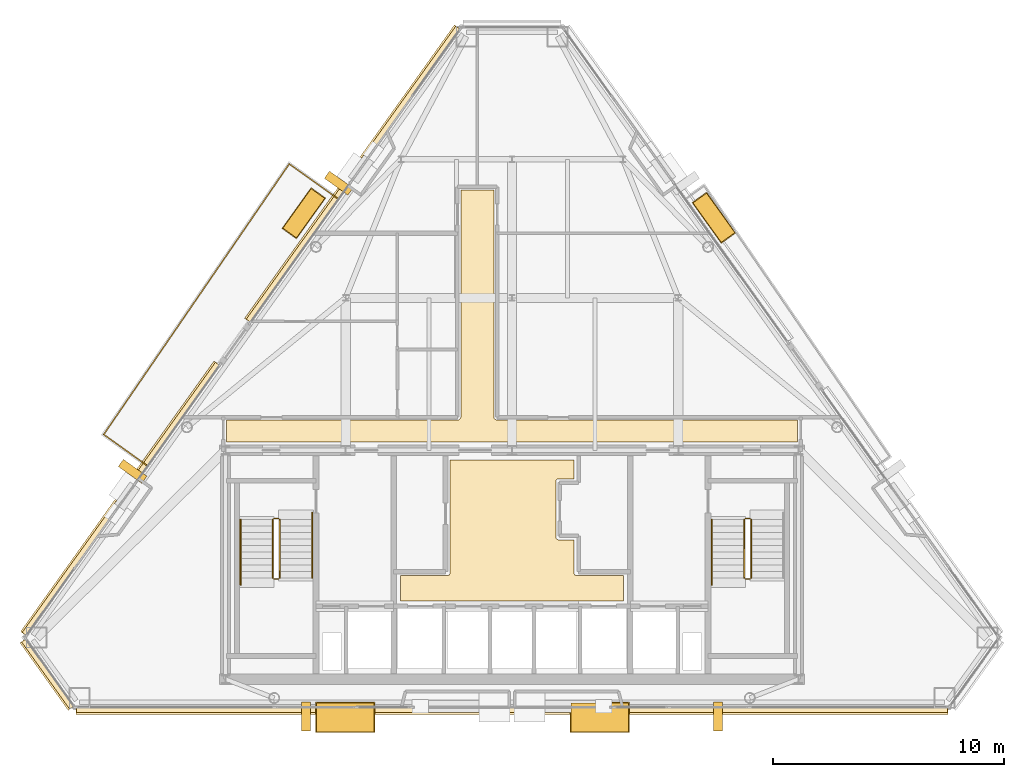
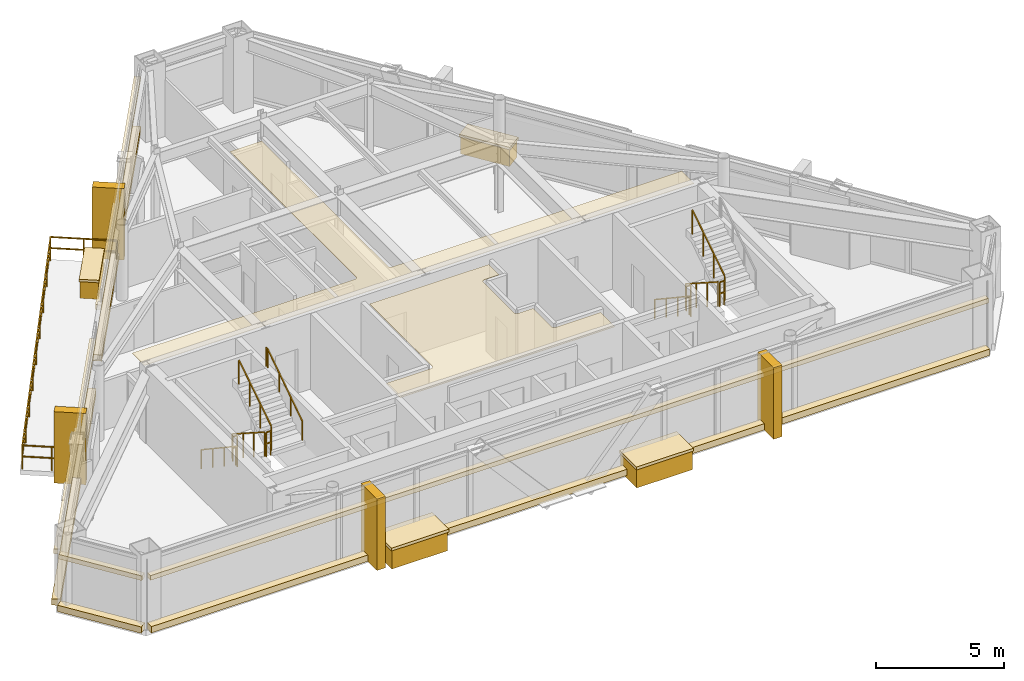
# One storey, part 11 of 12: 22 coverings, 12 railings.
"""IFC4 building model written with IfcOpenShell, lengths in metres."""

from ifc_helpers import new_model, si_unit, direction, frame, origin, origin_2d, place, context, subcontext, project, spatial, polyline, rectangle, outline, extrude, material, layer, layer_set, type_object, element, save


model = new_model("IFC4")

# Units and contexts
model_context = context("Model", 3, precision=1e-05, world=origin(), true_north=direction((0.0, 1.0)))
body_context = subcontext(model_context, "Body", "Model", "MODEL_VIEW")
ifc_project = project(units=[si_unit("LENGTHUNIT", "METRE"), si_unit("AREAUNIT", "SQUARE_METRE"), si_unit("VOLUMEUNIT", "CUBIC_METRE"), si_unit("PLANEANGLEUNIT", "RADIAN"), si_unit("MASSUNIT", "GRAM", prefix="KILO")], contexts=[model_context])

# Site, building, storey
site_placement = place(None, origin())
site = spatial("IfcSite", under=ifc_project, at=site_placement, CompositionType="ELEMENT")
building_placement = place(site_placement, origin())
building = spatial("IfcBuilding", under=site, at=building_placement, Name="Talgorran Terracotta Tower", CompositionType="ELEMENT")
storey_placement = place(building_placement, frame((0.0, 0.0, 263.39990234375)))
storey = spatial("IfcBuildingStorey", under=building, at=storey_placement, Name="L69", CompositionType="ELEMENT", Elevation=263.39990234375)

# Coverings
ifc_material_1 = material(Name="Kiln-Fired Terracotta Ochre Ceramic", Category="masonry")
ifc_layer_1 = layer(ifc_material_1, 0.179931640625, Name="COV_BAGUETTE_TERRACOTTA_SCREEN")
ifc_layer_set_1 = layer_set([ifc_layer_1], Name="Kiln-Fired Terracotta Ochre Ceramic")
covering_type_1 = type_object("IfcCoveringType", Name="COV_BAGUETTE_TERRACOTTA_SCREEN", PredefinedType="CLADDING", material=ifc_layer_set_1)
covering_1_placement = place(storey_placement, frame((-20.07958984375, -13.869384765625, 2.41015625), z_axis=(0.0, 0.0, 1.0), x_axis=(0.58173974083, -0.813374989743, 0.0)))
element("IfcCovering", 1, at=covering_1_placement, inside=storey, type_object=covering_type_1, Name="L69 Terracotta Baguette Solar Screen Assembly F0", PredefinedType="CLADDING", context=body_context, shape_type="SweptSolid", body=[
    extrude(rectangle(XDim=3.5673828125, YDim=0.260009765625, at=origin_2d()), origin(), (0.0, 0.0, 1.0), 0.219970703125),
])
covering_2_placement = place(storey_placement, frame((0.0, -15.4189453125, 2.41015625), z_axis=(0.0, 0.0, 1.0), x_axis=(1.0, 0.0, 0.0)))
element("IfcCovering", 2, at=covering_2_placement, inside=storey, type_object=covering_type_1, Name="L69 Terracotta Baguette Solar Screen Assembly F1", PredefinedType="CLADDING", context=body_context, shape_type="SweptSolid", body=[
    extrude(rectangle(XDim=37.699951171875, YDim=0.260009765625, at=origin_2d()), origin(), (0.0, 0.0, 1.0), 0.219970703125),
])
covering_3_placement = place(storey_placement, frame((-6.861083984375, 7.744873046875, 2.41015625), z_axis=(0.0, 0.0, 1.0), x_axis=(-0.58172554467, -0.813385142893, 0.0)))
element("IfcCovering", 3, at=covering_3_placement, inside=storey, type_object=covering_type_1, Name="L69 Terracotta Baguette Solar Screen Assembly F60", PredefinedType="CLADDING", context=body_context, shape_type="SweptSolid", body=[
    extrude(rectangle(XDim=15.5908203125, YDim=0.260009765625, at=origin_2d()), origin(), (0.0, 0.0, 1.0), 0.219970703125),
])
covering_4_placement = place(storey_placement, frame((-16.913818359375, -6.311279296875, 2.41015625), z_axis=(0.0, 0.0, 1.0), x_axis=(-0.58172554467, -0.813385142893, 0.0)))
element("IfcCovering", 4, at=covering_4_placement, inside=storey, type_object=covering_type_1, Name="L69 Terracotta Baguette Solar Screen Assembly F61", PredefinedType="CLADDING", context=body_context, shape_type="SweptSolid", body=[
    extrude(rectangle(XDim=14.37109375, YDim=0.260009765625, at=origin_2d()), origin(), (0.0, 0.0, 1.0), 0.219970703125),
])
ifc_material_2 = material(Name="Mineral Fibre Acoustic Tile")
ifc_layer_2 = layer(ifc_material_2, 0.02490234375, Name="COV_CEIL_ACOUSTIC")
ifc_layer_set_2 = layer_set([ifc_layer_2], Name="Mineral Fibre Acoustic Tile")
covering_type_2 = type_object("IfcCoveringType", Name="COV_CEIL_ACOUSTIC", PredefinedType="CEILING", material=ifc_layer_set_2)
covering_5_placement = place(storey_placement, frame((0.0, 0.0, 3.255126953125)))
element("IfcCovering", 5, at=covering_5_placement, inside=storey, type_object=covering_type_2, Name="CEIL-L69-2", PredefinedType="CEILING", context=body_context, shape_type="SweptSolid", body=[
    extrude(outline(polyline([(-12.364990234375, -2.885009765625), (-2.35009765625, -2.885009765625), (-2.33837890625, -2.884521484375), (-2.32666015625, -2.8828125), (-2.3154296875, -2.8798828125), (-2.30712890625, -2.87744140625), (-2.2958984375, -2.87353515625), (-2.285400390625, -2.868408203125), (-2.275146484375, -2.8623046875), (-2.265625, -2.85546875), (-2.257080078125, -2.847412109375), (-2.2490234375, -2.8388671875), (-2.243408203125, -2.83203125), (-2.236328125, -2.822509765625), (-2.230224609375, -2.8125), (-2.225341796875, -2.8017578125), (-2.22119140625, -2.79052734375), (-2.218505859375, -2.779296875), (-2.216796875, -2.767578125), (-2.216064453125, -2.755615234375), (-2.215087890625, 7.06494140625), (-0.784912109375, 7.06494140625), (-0.784912109375, -2.75), (-0.784423828125, -2.76171875), (-0.78271484375, -2.773193359375), (-0.77978515625, -2.78466796875), (-0.77734375, -2.79296875), (-0.7734375, -2.803955078125), (-0.768310546875, -2.814697265625), (-0.762451171875, -2.82470703125), (-0.75537109375, -2.834228515625), (-0.74755859375, -2.843017578125), (-0.73876953125, -2.850830078125), (-0.73193359375, -2.8564453125), (-0.722412109375, -2.863525390625), (-0.71240234375, -2.86962890625), (-0.70166015625, -2.874755859375), (-0.690673828125, -2.878662109375), (-0.67919921875, -2.881591796875), (-0.66748046875, -2.88330078125), (-0.65576171875, -2.8837890625), (12.364990234375, -2.885009765625), (12.364990234375, -3.844970703125), (7.432861328125, -3.844970703125), (6.968017578125, -3.843017578125), (6.967529296875, -3.843017578125), (0.232666015625, -3.844970703125), (-0.23193359375, -3.843017578125), (-0.232421875, -3.843017578125), (-6.96728515625, -3.844970703125), (-7.431884765625, -3.843017578125), (-7.4326171875, -3.843017578125), (-12.364990234375, -3.844970703125), (-12.364990234375, -2.885009765625)])), origin(), (0.0, 0.0, 1.0), 0.02001953125),
])
ifc_material_3 = material(Name="Flush Moisture-Resistant Plaster")
ifc_layer_3 = layer(ifc_material_3, 0.01806640625, Name="COV_CEIL_PLASTER")
ifc_layer_set_3 = layer_set([ifc_layer_3], Name="Flush Moisture-Resistant Plaster")
covering_type_3 = type_object("IfcCoveringType", Name="COV_CEIL_PLASTER", PredefinedType="CEILING", material=ifc_layer_set_3)
covering_6_placement = place(storey_placement, frame((0.0, 0.0, 3.255126953125)))
element("IfcCovering", 6, at=covering_6_placement, inside=storey, type_object=covering_type_3, Name="CEIL-L69-1", PredefinedType="CEILING", context=body_context, shape_type="SweptSolid", body=[
    extrude(outline(polyline([(4.830078125, -9.6201171875), (4.830078125, -10.72998046875), (-4.830078125, -10.72998046875), (-4.830078125, -9.6201171875), (-2.800048828125, -9.6201171875), (-2.7880859375, -9.619384765625), (-2.776611328125, -9.61767578125), (-2.76513671875, -9.61474609375), (-2.754150390625, -9.61083984375), (-2.743408203125, -9.605712890625), (-2.7333984375, -9.599853515625), (-2.723876953125, -9.5927734375), (-2.715087890625, -9.5849609375), (-2.707275390625, -9.576171875), (-2.7001953125, -9.566650390625), (-2.694091796875, -9.556640625), (-2.689208984375, -9.5458984375), (-2.685302734375, -9.534912109375), (-2.682373046875, -9.5234375), (-2.6806640625, -9.51171875), (-2.679931640625, -9.5), (-2.679931640625, -4.6201171875), (2.679931640625, -4.6201171875), (2.679931640625, -5.429931640625), (2.02001953125, -5.429931640625), (2.00830078125, -5.4306640625), (1.99658203125, -5.432373046875), (1.985107421875, -5.435302734375), (1.97412109375, -5.439208984375), (1.96337890625, -5.444091796875), (1.953369140625, -5.4501953125), (1.94384765625, -5.457275390625), (1.93505859375, -5.465087890625), (1.92724609375, -5.473876953125), (1.920166015625, -5.4833984375), (1.914306640625, -5.493408203125), (1.9091796875, -5.504150390625), (1.9052734375, -5.51513671875), (1.90234375, -5.526611328125), (1.900634765625, -5.5380859375), (1.89990234375, -5.550048828125), (1.89990234375, -7.949951171875), (1.900634765625, -7.9619140625), (1.90234375, -7.973388671875), (1.9052734375, -7.98486328125), (1.9091796875, -7.995849609375), (1.914306640625, -8.006591796875), (1.920166015625, -8.0166015625), (1.92724609375, -8.026123046875), (1.93505859375, -8.034912109375), (1.94384765625, -8.042724609375), (1.953369140625, -8.0498046875), (1.96337890625, -8.055908203125), (1.97412109375, -8.060791015625), (1.985107421875, -8.064697265625), (1.99658203125, -8.067626953125), (2.00830078125, -8.0693359375), (2.02001953125, -8.070068359375), (2.679931640625, -8.070068359375), (2.679931640625, -9.5), (2.6806640625, -9.51171875), (2.682373046875, -9.5234375), (2.685302734375, -9.534912109375), (2.689208984375, -9.5458984375), (2.694091796875, -9.556640625), (2.7001953125, -9.566650390625), (2.707275390625, -9.576171875), (2.715087890625, -9.5849609375), (2.723876953125, -9.5927734375), (2.7333984375, -9.599853515625), (2.743408203125, -9.605712890625), (2.754150390625, -9.61083984375), (2.76513671875, -9.61474609375), (2.776611328125, -9.61767578125), (2.7880859375, -9.619384765625), (2.800048828125, -9.6201171875), (4.830078125, -9.6201171875)])), origin(), (0.0, 0.0, 1.0), 0.02001953125),
])
ifc_material_4 = material(Name="Honed Limestone and Terracotta Planter", Category="masonry")
ifc_layer_4 = layer(ifc_material_4, 0.1201171875, Name="COV_PLANTER_BOX")
ifc_layer_set_4 = layer_set([ifc_layer_4], Name="Honed Limestone and Terracotta Planter")
covering_type_4 = type_object("IfcCoveringType", Name="COV_PLANTER_BOX", PredefinedType="CLADDING", material=ifc_layer_set_4)
for number, where, z_axis, x_axis, name in (
    (7, (3.79638671875, -15.7587890625, -0.179931640625), (0.0, 0.0, 1.0), (1.0, 0.0, 0.0), "L69 Staggered South Facade Planter Box 1"),
    (8, (-7.212890625, -15.7587890625, -0.179931640625), (0.0, 0.0, 1.0), (1.0, 0.0, 0.0), "L69 Staggered South Facade Planter Box 2"),
):
    element("IfcCovering", number, at=place(storey_placement, frame(where, z_axis=z_axis, x_axis=x_axis)), inside=storey, type_object=covering_type_4, Name=name, PredefinedType="CLADDING", context=body_context, shape_type="SweptSolid", body=[
        extrude(rectangle(XDim=2.5, YDim=1.25, at=origin_2d()), origin(), (0.0, 0.0, 1.0), 0.919921875),
    ])
for number, where, z_axis, x_axis, name in (
    (9, (8.738525390625, 5.867431640625, -0.02001953125), (0.0, 0.0, 1.0), (-0.58172554467, 0.813385142893, 0.0), "L69 Staggered Balcony Planter Box BAL-NE"),
    (10, (-9.010986328125, 6.0625, -0.02001953125), (0.0, 0.0, 1.0), (-0.58172554467, -0.813385142893, 0.0), "L69 Staggered Balcony Planter Box BAL-NW"),
):
    element("IfcCovering", number, at=place(storey_placement, frame(where, z_axis=z_axis, x_axis=x_axis)), inside=storey, type_object=covering_type_4, Name=name, PredefinedType="CLADDING", context=body_context, shape_type="SweptSolid", body=[
        extrude(rectangle(XDim=2.10009765625, YDim=0.719970703125, at=origin_2d()), origin(), (0.0, 0.0, 1.0), 0.860107421875),
    ])
ifc_material_5 = material(Name="Kiln-Fired Terracotta Planter Rim", Category="masonry")
ifc_layer_5 = layer(ifc_material_5, 0.10009765625, Name="COV_PLANTER_RIM")
ifc_layer_set_5 = layer_set([ifc_layer_5], Name="Kiln-Fired Terracotta Planter Rim")
covering_type_5 = type_object("IfcCoveringType", Name="COV_PLANTER_RIM", PredefinedType="CLADDING", material=ifc_layer_set_5)
for number, where, z_axis, x_axis, name in (
    (11, (3.79638671875, -15.7587890625, 0.7099609375), (0.0, 0.0, 1.0), (1.0, 0.0, 0.0), "L69 South Planter Terracotta Rim 1"),
    (12, (-7.212890625, -15.7587890625, 0.7099609375), (0.0, 0.0, 1.0), (1.0, 0.0, 0.0), "L69 South Planter Terracotta Rim 2"),
):
    element("IfcCovering", number, at=place(storey_placement, frame(where, z_axis=z_axis, x_axis=x_axis)), inside=storey, type_object=covering_type_5, Name=name, PredefinedType="CLADDING", context=body_context, shape_type="SweptSolid", body=[
        extrude(rectangle(XDim=2.580078125, YDim=1.320068359375, at=origin_2d()), origin(), (0.0, 0.0, 1.0), 0.139892578125),
    ])
for number, where, z_axis, x_axis, name in (
    (13, (8.738525390625, 5.867431640625, 0.800048828125), (0.0, 0.0, 1.0), (-0.58172554467, 0.813385142893, 0.0), "L69 Balcony Planter Terracotta Rim BAL-NE"),
    (14, (-9.010986328125, 6.0625, 0.800048828125), (0.0, 0.0, 1.0), (-0.58172554467, -0.813385142893, 0.0), "L69 Balcony Planter Terracotta Rim BAL-NW"),
):
    element("IfcCovering", number, at=place(storey_placement, frame(where, z_axis=z_axis, x_axis=x_axis)), inside=storey, type_object=covering_type_5, Name=name, PredefinedType="CLADDING", context=body_context, shape_type="SweptSolid", body=[
        extrude(rectangle(XDim=2.179931640625, YDim=0.780029296875, at=origin_2d()), origin(), (0.0, 0.0, 1.0), 0.1201171875),
    ])
ifc_material_6 = material(Name="Honed Limestone Cladding", Category="masonry")
ifc_layer_6 = layer(ifc_material_6, 0.094970703125, Name="COV_PORTAL_LIME")
ifc_layer_set_6 = layer_set([ifc_layer_6], Name="Honed Limestone Cladding")
covering_type_6 = type_object("IfcCoveringType", Name="COV_PORTAL_LIME", PredefinedType="CLADDING", material=ifc_layer_set_6)
for number, where, z_axis, x_axis, name in (
    (15, (-8.92138671875, -15.718994140625, -0.0498046875), (0.0, 0.0, 1.0), (1.0, 0.0, 0.0), "L69 White Striped Portal Fin F1-1"),
    (16, (-7.50048828125, 7.366455078125, -0.0498046875), (0.0, 0.0, 1.0), (-0.58172554467, -0.813385142893, 0.0), "L69 White Striped Portal Fin F5-1"),
):
    element("IfcCovering", number, at=place(storey_placement, frame(where, z_axis=z_axis, x_axis=x_axis)), inside=storey, type_object=covering_type_6, Name=name, PredefinedType="CLADDING", context=body_context, shape_type="SweptSolid", body=[
        extrude(rectangle(XDim=0.3798828125, YDim=1.25, at=origin_2d()), origin(), (0.0, 0.0, 1.0), 3.39501953125),
    ])
ifc_material_7 = material(Name="Kiln-Fired Terracotta Cladding", Category="masonry")
ifc_layer_7 = layer(ifc_material_7, 0.090087890625, Name="COV_PORTAL_TERRA")
ifc_layer_set_7 = layer_set([ifc_layer_7], Name="Kiln-Fired Terracotta Cladding")
covering_type_7 = type_object("IfcCoveringType", Name="COV_PORTAL_TERRA", PredefinedType="CLADDING", material=ifc_layer_set_7)
covering_7_placement = place(storey_placement, frame((-20.1123046875, -13.892578125, -0.0400390625), z_axis=(0.0, 0.0, 1.0), x_axis=(0.58173974083, -0.813374989743, 0.0)))
element("IfcCovering", 17, at=covering_7_placement, inside=storey, type_object=covering_type_7, Name="L69 Striped Postmodern Portal Cladding Band F0", PredefinedType="CLADDING", context=body_context, shape_type="SweptSolid", body=[
    extrude(rectangle(XDim=3.58740234375, YDim=0.340087890625, at=origin_2d()), origin(), (0.0, 0.0, 1.0), 0.300048828125),
])
covering_8_placement = place(storey_placement, frame((0.0, -15.458984375, -0.0400390625), z_axis=(0.0, 0.0, 1.0), x_axis=(1.0, 0.0, 0.0)))
element("IfcCovering", 18, at=covering_8_placement, inside=storey, type_object=covering_type_7, Name="L69 Striped Postmodern Portal Cladding Band F1", PredefinedType="CLADDING", context=body_context, shape_type="SweptSolid", body=[
    extrude(rectangle(XDim=37.719970703125, YDim=0.340087890625, at=origin_2d()), origin(), (0.0, 0.0, 1.0), 0.300048828125),
])
covering_9_placement = place(storey_placement, frame((-6.8935546875, 7.76806640625, -0.0400390625), z_axis=(0.0, 0.0, 1.0), x_axis=(-0.58172554467, -0.813385142893, 0.0)))
element("IfcCovering", 19, at=covering_9_placement, inside=storey, type_object=covering_type_7, Name="L69 Striped Postmodern Portal Cladding Band F60", PredefinedType="CLADDING", context=body_context, shape_type="SweptSolid", body=[
    extrude(rectangle(XDim=15.61083984375, YDim=0.340087890625, at=origin_2d()), origin(), (0.0, 0.0, 1.0), 0.300048828125),
])
covering_10_placement = place(storey_placement, frame((-16.946533203125, -6.2880859375, -0.0400390625), z_axis=(0.0, 0.0, 1.0), x_axis=(-0.58172554467, -0.813385142893, 0.0)))
element("IfcCovering", 20, at=covering_10_placement, inside=storey, type_object=covering_type_7, Name="L69 Striped Postmodern Portal Cladding Band F61", PredefinedType="CLADDING", context=body_context, shape_type="SweptSolid", body=[
    extrude(rectangle(XDim=14.39111328125, YDim=0.340087890625, at=origin_2d()), origin(), (0.0, 0.0, 1.0), 0.300048828125),
])
for number, where, z_axis, x_axis, name in (
    (21, (8.92138671875, -15.718994140625, -0.0498046875), (0.0, 0.0, 1.0), (1.0, 0.0, 0.0), "L69 Terracotta Striped Portal Fin F1-2"),
    (22, (-16.421875, -5.107421875, -0.0498046875), (0.0, 0.0, 1.0), (-0.58172554467, -0.813385142893, 0.0), "L69 Terracotta Striped Portal Fin F5-2"),
):
    element("IfcCovering", number, at=place(storey_placement, frame(where, z_axis=z_axis, x_axis=x_axis)), inside=storey, type_object=covering_type_7, Name=name, PredefinedType="CLADDING", context=body_context, shape_type="SweptSolid", body=[
        extrude(rectangle(XDim=0.3798828125, YDim=1.25, at=origin_2d()), origin(), (0.0, 0.0, 1.0), 3.39501953125),
    ])

# Railings
ifc_material_8 = material(Name="Laminated Glass and Stainless Steel 316", Category="steel")
railing_type_1 = type_object("IfcRailingType", Name="RL_BALCONY_1150", PredefinedType="BALUSTRADE", material=ifc_material_8)
railing_1_placement = place(storey_placement, frame((-7.522705078125, 6.682373046875, 0.0)))
element("IfcRailing", 23, at=railing_1_placement, inside=storey, type_object=railing_type_1, Name="RL-L69-BAL-BAL-NW", PredefinedType="BALUSTRADE", context=body_context, shape_type="SweptSolid", body=[
    extrude(rectangle(XDim=0.048095703125, YDim=0.048095703125, at=origin_2d()), frame((0.0, 0.0, 1.1259765625), z_axis=(-0.813391380926, 0.581716822377, 0.0), x_axis=(-0.581716822377, -0.813391380926, 0.0)), (0.0, 0.0, 1.0), 2.60498046875),
    extrude(rectangle(XDim=0.048095703125, YDim=0.048095703125, at=origin_2d()), frame((0.0, 0.0, 0.597900390625), z_axis=(-0.813391380926, 0.581716822377, 0.0), x_axis=(-0.581716822377, -0.813391380926, 0.0)), (0.0, 0.0, 1.0), 2.60498046875),
    extrude(rectangle(XDim=0.048095703125, YDim=0.048095703125, at=origin_2d()), frame((-2.118896484375, 1.515380859375, 1.1259765625), z_axis=(-0.56541407913, -0.824807201182, 0.0), x_axis=(0.824807201182, -0.56541407913, 0.0)), (0.0, 0.0, 1.0), 14.199951171875),
    extrude(rectangle(XDim=0.048095703125, YDim=0.048095703125, at=origin_2d()), frame((-2.118896484375, 1.515380859375, 0.597900390625), z_axis=(-0.56541407913, -0.824807201182, 0.0), x_axis=(0.824807201182, -0.56541407913, 0.0)), (0.0, 0.0, 1.0), 14.199951171875),
    extrude(rectangle(XDim=0.048095703125, YDim=0.048095703125, at=origin_2d()), frame((-10.147705078125, -10.19677734375, 1.1259765625), z_axis=(0.813406580876, -0.581695568307, 0.0), x_axis=(0.581695568307, 0.813406580876, 0.0)), (0.0, 0.0, 1.0), 2.322265625),
    extrude(rectangle(XDim=0.048095703125, YDim=0.048095703125, at=origin_2d()), frame((-10.147705078125, -10.19677734375, 0.597900390625), z_axis=(0.813406580876, -0.581695568307, 0.0), x_axis=(0.581695568307, 0.813406580876, 0.0)), (0.0, 0.0, 1.0), 2.322265625),
    extrude(rectangle(XDim=0.0419921875, YDim=0.0419921875, at=origin_2d()), origin(), (0.0, 0.0, 1.0), 1.101806640625),
    extrude(rectangle(XDim=0.0419921875, YDim=0.0419921875, at=origin_2d()), frame((-1.0595703125, 0.7578125, 0.0)), (0.0, 0.0, 1.0), 1.101806640625),
    extrude(rectangle(XDim=0.0419921875, YDim=0.0419921875, at=origin_2d()), frame((-2.118896484375, 1.515380859375, 0.0)), (0.0, 0.0, 1.0), 1.101806640625),
    extrude(rectangle(XDim=0.0419921875, YDim=0.0419921875, at=origin_2d()), frame((-3.12255859375, 0.05126953125, 0.0)), (0.0, 0.0, 1.0), 1.101806640625),
    extrude(rectangle(XDim=0.0419921875, YDim=0.0419921875, at=origin_2d()), frame((-4.1259765625, -1.41259765625, 0.0)), (0.0, 0.0, 1.0), 1.101806640625),
    extrude(rectangle(XDim=0.0419921875, YDim=0.0419921875, at=origin_2d()), frame((-5.129638671875, -2.876708984375, 0.0)), (0.0, 0.0, 1.0), 1.101806640625),
    extrude(rectangle(XDim=0.0419921875, YDim=0.0419921875, at=origin_2d()), frame((-6.13330078125, -4.3408203125, 0.0)), (0.0, 0.0, 1.0), 1.101806640625),
    extrude(rectangle(XDim=0.0419921875, YDim=0.0419921875, at=origin_2d()), frame((-7.136962890625, -5.8046875, 0.0)), (0.0, 0.0, 1.0), 1.101806640625),
    extrude(rectangle(XDim=0.0419921875, YDim=0.0419921875, at=origin_2d()), frame((-8.140625, -7.268798828125, 0.0)), (0.0, 0.0, 1.0), 1.101806640625),
    extrude(rectangle(XDim=0.0419921875, YDim=0.0419921875, at=origin_2d()), frame((-9.14404296875, -8.732666015625, 0.0)), (0.0, 0.0, 1.0), 1.101806640625),
    extrude(rectangle(XDim=0.0419921875, YDim=0.0419921875, at=origin_2d()), frame((-10.147705078125, -10.19677734375, 0.0)), (0.0, 0.0, 1.0), 1.101806640625),
    extrude(rectangle(XDim=0.0419921875, YDim=0.0419921875, at=origin_2d()), frame((-9.203125, -10.8720703125, 0.0)), (0.0, 0.0, 1.0), 1.101806640625),
    extrude(rectangle(XDim=0.0419921875, YDim=0.0419921875, at=origin_2d()), frame((-8.2587890625, -11.547607421875, 0.0)), (0.0, 0.0, 1.0), 1.101806640625),
])
ifc_material_9 = material(Name="Steel S355 (300PLUS)", Category="steel")
railing_type_2 = type_object("IfcRailingType", Name="RL_HANDRAIL_920", PredefinedType="HANDRAIL", material=ifc_material_9)
railing_2_placement = place(storey_placement, frame((-11.75, -7.199951171875, 0.18017578125)))
element("IfcRailing", 24, at=railing_2_placement, inside=storey, type_object=railing_type_2, Name="L69 ST-01 stair handrail 1", PredefinedType="HANDRAIL", context=body_context, shape_type="SweptSolid", body=[
    extrude(rectangle(XDim=0.048095703125, YDim=0.048095703125, at=origin_2d()), frame((0.0, 0.0, 0.89599609375), z_axis=(0.0, -0.832073444223, 0.554665469827), x_axis=(1.0, 0.0, 0.0)), (0.0, 0.0, 1.0), 3.244873046875),
    extrude(rectangle(XDim=0.048095703125, YDim=0.048095703125, at=origin_2d()), frame((0.0, -2.699951171875, 2.69580078125), z_axis=(0.0, -1.0, 0.0), x_axis=(1.0, 0.0, 0.0)), (0.0, 0.0, 1.0), 0.1201171875),
    extrude(rectangle(XDim=0.0419921875, YDim=0.0419921875, at=origin_2d()), origin(), (0.0, 0.0, 1.0), 0.871826171875),
    extrude(rectangle(XDim=0.0419921875, YDim=0.0419921875, at=origin_2d()), frame((0.0, -0.89990234375, 0.599853515625)), (0.0, 0.0, 1.0), 0.871826171875),
    extrude(rectangle(XDim=0.0419921875, YDim=0.0419921875, at=origin_2d()), frame((0.0, -1.800048828125, 1.199951171875)), (0.0, 0.0, 1.0), 0.871826171875),
    extrude(rectangle(XDim=0.0419921875, YDim=0.0419921875, at=origin_2d()), frame((0.0, -2.699951171875, 1.7998046875)), (0.0, 0.0, 1.0), 0.871826171875),
    extrude(rectangle(XDim=0.0419921875, YDim=0.0419921875, at=origin_2d()), frame((0.0, -2.820068359375, 1.7998046875)), (0.0, 0.0, 1.0), 0.871826171875),
])
railing_3_placement = place(storey_placement, frame((-8.64990234375, -9.719970703125, 1.97998046875)))
element("IfcRailing", 25, at=railing_3_placement, inside=storey, type_object=railing_type_2, Name="L69 ST-01 stair handrail 2", PredefinedType="HANDRAIL", context=body_context, shape_type="SweptSolid", body=[
    extrude(rectangle(XDim=0.048095703125, YDim=0.048095703125, at=origin_2d()), frame((0.0, 0.0, 0.89599609375), z_axis=(0.0, 0.832038719335, 0.554717558338), x_axis=(-1.0, 0.0, 0.0)), (0.0, 0.0, 1.0), 3.244873046875),
    extrude(rectangle(XDim=0.048095703125, YDim=0.048095703125, at=origin_2d()), frame((0.0, 2.699951171875, 2.69580078125), z_axis=(0.0, 1.0, 0.0), x_axis=(-1.0, 0.0, 0.0)), (0.0, 0.0, 1.0), 0.1201171875),
    extrude(rectangle(XDim=0.0419921875, YDim=0.0419921875, at=origin_2d()), origin(), (0.0, 0.0, 1.0), 0.871826171875),
    extrude(rectangle(XDim=0.0419921875, YDim=0.0419921875, at=origin_2d()), frame((0.0, 0.89990234375, 0.60009765625)), (0.0, 0.0, 1.0), 0.871826171875),
    extrude(rectangle(XDim=0.0419921875, YDim=0.0419921875, at=origin_2d()), frame((0.0, 1.800048828125, 1.199951171875)), (0.0, 0.0, 1.0), 0.871826171875),
    extrude(rectangle(XDim=0.0419921875, YDim=0.0419921875, at=origin_2d()), frame((0.0, 2.699951171875, 1.800048828125)), (0.0, 0.0, 1.0), 0.871826171875),
    extrude(rectangle(XDim=0.0419921875, YDim=0.0419921875, at=origin_2d()), frame((0.0, 2.820068359375, 1.800048828125)), (0.0, 0.0, 1.0), 0.871826171875),
])
railing_4_placement = place(storey_placement, frame((8.64990234375, -7.199951171875, 0.18017578125)))
element("IfcRailing", 26, at=railing_4_placement, inside=storey, type_object=railing_type_2, Name="L69 ST-02 stair handrail 1", PredefinedType="HANDRAIL", context=body_context, shape_type="SweptSolid", body=[
    extrude(rectangle(XDim=0.048095703125, YDim=0.048095703125, at=origin_2d()), frame((0.0, 0.0, 0.89599609375), z_axis=(0.0, -0.832073444223, 0.554665469827), x_axis=(1.0, 0.0, 0.0)), (0.0, 0.0, 1.0), 3.244873046875),
    extrude(rectangle(XDim=0.048095703125, YDim=0.048095703125, at=origin_2d()), frame((0.0, -2.699951171875, 2.69580078125), z_axis=(0.0, -1.0, 0.0), x_axis=(1.0, 0.0, 0.0)), (0.0, 0.0, 1.0), 0.1201171875),
    extrude(rectangle(XDim=0.0419921875, YDim=0.0419921875, at=origin_2d()), origin(), (0.0, 0.0, 1.0), 0.871826171875),
    extrude(rectangle(XDim=0.0419921875, YDim=0.0419921875, at=origin_2d()), frame((0.0, -0.89990234375, 0.599853515625)), (0.0, 0.0, 1.0), 0.871826171875),
    extrude(rectangle(XDim=0.0419921875, YDim=0.0419921875, at=origin_2d()), frame((0.0, -1.800048828125, 1.199951171875)), (0.0, 0.0, 1.0), 0.871826171875),
    extrude(rectangle(XDim=0.0419921875, YDim=0.0419921875, at=origin_2d()), frame((0.0, -2.699951171875, 1.7998046875)), (0.0, 0.0, 1.0), 0.871826171875),
    extrude(rectangle(XDim=0.0419921875, YDim=0.0419921875, at=origin_2d()), frame((0.0, -2.820068359375, 1.7998046875)), (0.0, 0.0, 1.0), 0.871826171875),
])
railing_type_3 = type_object("IfcRailingType", Name="RL_STAIR_GUARD", PredefinedType="GUARDRAIL", material=ifc_material_9)
railing_5_placement = place(storey_placement, frame((-10.35009765625, -7.199951171875, 0.18017578125)))
element("IfcRailing", 27, at=railing_5_placement, inside=storey, type_object=railing_type_3, Name="L69 ST-01 stair guard 1", PredefinedType="GUARDRAIL", context=body_context, shape_type="SweptSolid", body=[
    extrude(rectangle(XDim=0.048095703125, YDim=0.048095703125, at=origin_2d()), frame((0.0, 0.0, 1.15576171875), z_axis=(0.0, -0.841199657755, 0.540724639528), x_axis=(1.0, 0.0, 0.0)), (0.0, 0.0, 1.0), 2.995849609375),
    extrude(rectangle(XDim=0.0419921875, YDim=0.0419921875, at=origin_2d()), origin(), (0.0, 0.0, 1.0), 1.1318359375),
    extrude(rectangle(XDim=0.0419921875, YDim=0.0419921875, at=origin_2d()), frame((0.0, -0.840087890625, 0.5400390625)), (0.0, 0.0, 1.0), 1.1318359375),
    extrude(rectangle(XDim=0.0419921875, YDim=0.0419921875, at=origin_2d()), frame((0.0, -1.679931640625, 1.079833984375)), (0.0, 0.0, 1.0), 1.1318359375),
    extrude(rectangle(XDim=0.0419921875, YDim=0.0419921875, at=origin_2d()), frame((0.0, -2.52001953125, 1.619873046875)), (0.0, 0.0, 1.0), 1.1318359375),
])
railing_6_placement = place(storey_placement, frame((-10.300048828125, -9.77001953125, 1.800048828125)))
element("IfcRailing", 28, at=railing_6_placement, inside=storey, type_object=railing_type_3, Name="L69 ST-01 stair guard 2", PredefinedType="GUARDRAIL", context=body_context, shape_type="SweptSolid", body=[
    extrude(rectangle(XDim=0.048095703125, YDim=0.048095703125, at=origin_2d()), frame((0.0, 0.0, 1.15576171875), z_axis=(1.0, 0.0, 0.0), x_axis=(0.0, 1.0, 0.0)), (0.0, 0.0, 1.0), 0.199951171875),
    extrude(rectangle(XDim=0.048095703125, YDim=0.048095703125, at=origin_2d()), frame((0.0, 0.0, 0.613525390625), z_axis=(1.0, 0.0, 0.0), x_axis=(0.0, 1.0, 0.0)), (0.0, 0.0, 1.0), 0.199951171875),
    extrude(rectangle(XDim=0.0419921875, YDim=0.0419921875, at=origin_2d()), origin(), (0.0, 0.0, 1.0), 1.1318359375),
    extrude(rectangle(XDim=0.0419921875, YDim=0.0419921875, at=origin_2d()), frame((0.199951171875, 0.0, 0.0)), (0.0, 0.0, 1.0), 1.1318359375),
])
railing_7_placement = place(storey_placement, frame((-10.050048828125, -9.719970703125, 1.97998046875)))
element("IfcRailing", 29, at=railing_7_placement, inside=storey, type_object=railing_type_3, Name="L69 ST-01 stair guard 3", PredefinedType="GUARDRAIL", context=body_context, shape_type="SweptSolid", body=[
    extrude(rectangle(XDim=0.048095703125, YDim=0.048095703125, at=origin_2d()), frame((0.0, 0.0, 1.15576171875), z_axis=(0.0, 0.841162588446, 0.540782303519), x_axis=(-1.0, 0.0, 0.0)), (0.0, 0.0, 1.0), 2.995849609375),
    extrude(rectangle(XDim=0.0419921875, YDim=0.0419921875, at=origin_2d()), origin(), (0.0, 0.0, 1.0), 1.1318359375),
    extrude(rectangle(XDim=0.0419921875, YDim=0.0419921875, at=origin_2d()), frame((0.0, 0.840087890625, 0.5400390625)), (0.0, 0.0, 1.0), 1.1318359375),
    extrude(rectangle(XDim=0.0419921875, YDim=0.0419921875, at=origin_2d()), frame((0.0, 1.679931640625, 1.080078125)), (0.0, 0.0, 1.0), 1.1318359375),
    extrude(rectangle(XDim=0.0419921875, YDim=0.0419921875, at=origin_2d()), frame((0.0, 2.52001953125, 1.6201171875)), (0.0, 0.0, 1.0), 1.1318359375),
])
railing_8_placement = place(storey_placement, frame((-10.300048828125, -7.14990234375, 0.0)))
element("IfcRailing", 30, at=railing_8_placement, inside=storey, type_object=railing_type_3, Name="L69 ST-01 stair guard 4", PredefinedType="GUARDRAIL", context=body_context, shape_type="SweptSolid", body=[
    extrude(rectangle(XDim=0.048095703125, YDim=0.048095703125, at=origin_2d()), frame((0.0, 0.0, 1.15576171875), z_axis=(1.0, 0.0, 0.0), x_axis=(0.0, 1.0, 0.0)), (0.0, 0.0, 1.0), 0.199951171875),
    extrude(rectangle(XDim=0.048095703125, YDim=0.048095703125, at=origin_2d()), frame((0.0, 0.0, 0.613525390625), z_axis=(1.0, 0.0, 0.0), x_axis=(0.0, 1.0, 0.0)), (0.0, 0.0, 1.0), 0.199951171875),
    extrude(rectangle(XDim=0.0419921875, YDim=0.0419921875, at=origin_2d()), origin(), (0.0, 0.0, 1.0), 1.1318359375),
    extrude(rectangle(XDim=0.0419921875, YDim=0.0419921875, at=origin_2d()), frame((0.199951171875, 0.0, 0.0)), (0.0, 0.0, 1.0), 1.1318359375),
])
railing_9_placement = place(storey_placement, frame((10.050048828125, -7.199951171875, 0.18017578125)))
element("IfcRailing", 31, at=railing_9_placement, inside=storey, type_object=railing_type_3, Name="L69 ST-02 stair guard 1", PredefinedType="GUARDRAIL", context=body_context, shape_type="SweptSolid", body=[
    extrude(rectangle(XDim=0.048095703125, YDim=0.048095703125, at=origin_2d()), frame((0.0, 0.0, 1.15576171875), z_axis=(0.0, -0.841199657755, 0.540724639528), x_axis=(1.0, 0.0, 0.0)), (0.0, 0.0, 1.0), 2.995849609375),
    extrude(rectangle(XDim=0.0419921875, YDim=0.0419921875, at=origin_2d()), origin(), (0.0, 0.0, 1.0), 1.1318359375),
    extrude(rectangle(XDim=0.0419921875, YDim=0.0419921875, at=origin_2d()), frame((0.0, -0.840087890625, 0.5400390625)), (0.0, 0.0, 1.0), 1.1318359375),
    extrude(rectangle(XDim=0.0419921875, YDim=0.0419921875, at=origin_2d()), frame((0.0, -1.679931640625, 1.079833984375)), (0.0, 0.0, 1.0), 1.1318359375),
    extrude(rectangle(XDim=0.0419921875, YDim=0.0419921875, at=origin_2d()), frame((0.0, -2.52001953125, 1.619873046875)), (0.0, 0.0, 1.0), 1.1318359375),
])
railing_10_placement = place(storey_placement, frame((10.10009765625, -9.77001953125, 1.800048828125)))
element("IfcRailing", 32, at=railing_10_placement, inside=storey, type_object=railing_type_3, Name="L69 ST-02 stair guard 2", PredefinedType="GUARDRAIL", context=body_context, shape_type="SweptSolid", body=[
    extrude(rectangle(XDim=0.048095703125, YDim=0.048095703125, at=origin_2d()), frame((0.0, 0.0, 1.15576171875), z_axis=(1.0, 0.0, 0.0), x_axis=(0.0, 1.0, 0.0)), (0.0, 0.0, 1.0), 0.199951171875),
    extrude(rectangle(XDim=0.048095703125, YDim=0.048095703125, at=origin_2d()), frame((0.0, 0.0, 0.613525390625), z_axis=(1.0, 0.0, 0.0), x_axis=(0.0, 1.0, 0.0)), (0.0, 0.0, 1.0), 0.199951171875),
    extrude(rectangle(XDim=0.0419921875, YDim=0.0419921875, at=origin_2d()), origin(), (0.0, 0.0, 1.0), 1.1318359375),
    extrude(rectangle(XDim=0.0419921875, YDim=0.0419921875, at=origin_2d()), frame((0.199951171875, 0.0, 0.0)), (0.0, 0.0, 1.0), 1.1318359375),
])
railing_11_placement = place(storey_placement, frame((10.35009765625, -9.719970703125, 1.97998046875)))
element("IfcRailing", 33, at=railing_11_placement, inside=storey, type_object=railing_type_3, Name="L69 ST-02 stair guard 3", PredefinedType="GUARDRAIL", context=body_context, shape_type="SweptSolid", body=[
    extrude(rectangle(XDim=0.048095703125, YDim=0.048095703125, at=origin_2d()), frame((0.0, 0.0, 1.15576171875), z_axis=(0.0, 0.841162588446, 0.540782303519), x_axis=(-1.0, 0.0, 0.0)), (0.0, 0.0, 1.0), 2.995849609375),
    extrude(rectangle(XDim=0.0419921875, YDim=0.0419921875, at=origin_2d()), origin(), (0.0, 0.0, 1.0), 1.1318359375),
    extrude(rectangle(XDim=0.0419921875, YDim=0.0419921875, at=origin_2d()), frame((0.0, 0.840087890625, 0.5400390625)), (0.0, 0.0, 1.0), 1.1318359375),
    extrude(rectangle(XDim=0.0419921875, YDim=0.0419921875, at=origin_2d()), frame((0.0, 1.679931640625, 1.080078125)), (0.0, 0.0, 1.0), 1.1318359375),
    extrude(rectangle(XDim=0.0419921875, YDim=0.0419921875, at=origin_2d()), frame((0.0, 2.52001953125, 1.6201171875)), (0.0, 0.0, 1.0), 1.1318359375),
])
railing_12_placement = place(storey_placement, frame((10.10009765625, -7.14990234375, 0.0)))
element("IfcRailing", 34, at=railing_12_placement, inside=storey, type_object=railing_type_3, Name="L69 ST-02 stair guard 4", PredefinedType="GUARDRAIL", context=body_context, shape_type="SweptSolid", body=[
    extrude(rectangle(XDim=0.048095703125, YDim=0.048095703125, at=origin_2d()), frame((0.0, 0.0, 1.15576171875), z_axis=(1.0, 0.0, 0.0), x_axis=(0.0, 1.0, 0.0)), (0.0, 0.0, 1.0), 0.199951171875),
    extrude(rectangle(XDim=0.048095703125, YDim=0.048095703125, at=origin_2d()), frame((0.0, 0.0, 0.613525390625), z_axis=(1.0, 0.0, 0.0), x_axis=(0.0, 1.0, 0.0)), (0.0, 0.0, 1.0), 0.199951171875),
    extrude(rectangle(XDim=0.0419921875, YDim=0.0419921875, at=origin_2d()), origin(), (0.0, 0.0, 1.0), 1.1318359375),
    extrude(rectangle(XDim=0.0419921875, YDim=0.0419921875, at=origin_2d()), frame((0.199951171875, 0.0, 0.0)), (0.0, 0.0, 1.0), 1.1318359375),
])

save(model, "model.ifc")
